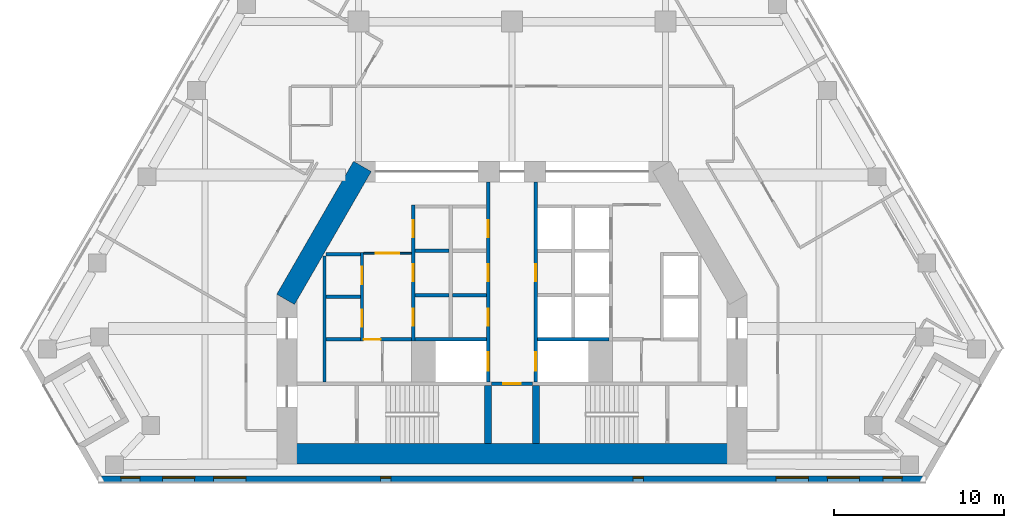
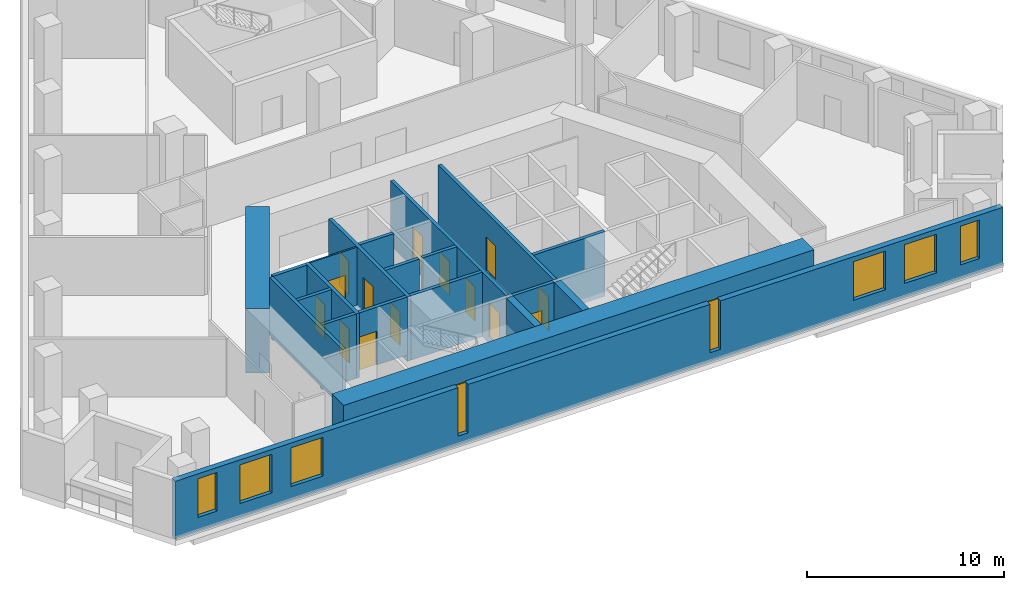
# One storey, part 3 of 8: 21 walls, 14 doors, 8 windows, 22 openings.
"""IFC4 building model written with IfcOpenShell, lengths in metres."""

from ifc_helpers import new_model, si_unit, direction, frame, frame_2d, origin, place, context, subcontext, project, spatial, rectangle, extrude, material, layer, layer_set, type_object, element, fill, save


model = new_model("IFC4")

# Units and contexts
model_context = context("Model", 3, precision=1e-05, world=origin(), true_north=direction((0.0, 1.0)))
body_context = subcontext(model_context, "Body", "Model", "MODEL_VIEW")
ifc_project = project(units=[si_unit("LENGTHUNIT", "METRE"), si_unit("AREAUNIT", "SQUARE_METRE"), si_unit("VOLUMEUNIT", "CUBIC_METRE"), si_unit("PLANEANGLEUNIT", "RADIAN"), si_unit("MASSUNIT", "GRAM", prefix="KILO")], contexts=[model_context])

# Site, building, storey
site_placement = place(None, origin())
site = spatial("IfcSite", under=ifc_project, at=site_placement, CompositionType="ELEMENT")
building_placement = place(site_placement, origin())
building = spatial("IfcBuilding", under=site, at=building_placement, Name="Fogline Exchange Tower", CompositionType="ELEMENT")
storey_placement = place(building_placement, frame((0.0, 0.0, 162.89990234375)))
storey = spatial("IfcBuildingStorey", under=building, at=storey_placement, Name="L36", CompositionType="ELEMENT", Elevation=162.89990234375)

# Wall, opening, door
ifc_material_1 = material(Name="Blockwork partition", Category="masonry")
ifc_layer_1 = layer(ifc_material_1, 0.10009765625)
ifc_layer_set_1 = layer_set([ifc_layer_1], Name="CW10")
wall_type_1 = type_object("IfcWallType", Name="CW10", PredefinedType="PARTITIONING", material=ifc_layer_set_1)
wall_1_placement = place(storey_placement, frame((-8.699951171875, 13.39990234375, 0.0), z_axis=(0.0, 0.0, 1.0), x_axis=(1.0, 0.0, 0.0)))
wall_1 = element("IfcWall", 1, at=wall_1_placement, inside=storey, type_object=wall_type_1, Name="Lift lobby partition", PredefinedType="PARTITIONING", context=body_context, shape_type="SweptSolid", body=[
    extrude(rectangle(XDim=2.800048828125, YDim=0.10009765625, at=frame_2d((1.39990234375, 0.0))), origin(), (0.0, 0.0, 1.0), 3.60009765625),
])
opening_1_placement = place(wall_1_placement, frame((0.699951171875, 0.0, 0.0)))
opening_1 = element("IfcOpeningElement", 2, at=opening_1_placement, cuts=wall_1, Name="Opening T11-C011", PredefinedType="OPENING", context=body_context, shape_type="SweptSolid", body=[
    extrude(rectangle(XDim=1.39990234375, YDim=2.10009765625, at=frame_2d((0.699951171875, 1.050048828125))), frame((0.0, 0.06005859375, 0.0), z_axis=(0.0, -1.0, 0.0), x_axis=(1.0, 0.0, 0.0)), (0.0, 0.0, 1.0), 0.1201171875),
])
ifc_material_2 = material(Name="Steel and timber fire door", Category="steel")
door_type_1 = type_object("IfcDoorType", Name="D-LB1", OperationType="DOUBLE_DOOR_SINGLE_SWING", PredefinedType="DOOR", material=ifc_material_2)
door_1_placement = place(opening_1_placement, frame((1.39990234375, 0.0, 0.0), z_axis=(0.0, 0.0, 1.0), x_axis=(-1.0, 0.0, 0.0)))
door_1 = element("IfcDoor", 3, at=door_1_placement, inside=storey, type_object=door_type_1, Name="Door to lift lobby", OperationType="DOUBLE_DOOR_SINGLE_SWING", OverallHeight=2.10009765625, OverallWidth=1.39990234375, PredefinedType="DOOR", context=body_context, shape_type="SweptSolid", body=[
    extrude(rectangle(XDim=1.39990234375, YDim=2.10009765625, at=frame_2d((0.699951171875, 1.050048828125))), frame((0.0, 0.02490234375, 0.0), z_axis=(0.0, -1.0, 0.0), x_axis=(1.0, 0.0, 0.0)), (0.0, 0.0, 1.0), 0.050048828125),
])
fill(opening_1, door_1)

# Walls
ifc_material_3 = material(Name="Concrete C40", Category="concrete")
ifc_layer_2 = layer(ifc_material_3, 0.199951171875)
ifc_layer_set_2 = layer_set([ifc_layer_2], Name="CW20")
wall_type_2 = type_object("IfcWallType", Name="CW20", PredefinedType="SOLIDWALL", material=ifc_layer_set_2)
wall_2_placement = place(storey_placement, frame((-11.0, 5.85009765625, 0.0), z_axis=(0.0, 0.0, 1.0), x_axis=(0.0, 1.0, 0.0)))
element("IfcWall", 4, at=wall_2_placement, inside=storey, type_object=wall_type_2, Name="Service room wall", PredefinedType="SOLIDWALL", context=body_context, shape_type="SweptSolid", body=[
    extrude(rectangle(XDim=7.39990234375, YDim=0.199951171875, at=frame_2d((3.699951171875, 0.0))), origin(), (0.0, 0.0, 1.0), 3.60009765625),
])
for number, where, z_axis, x_axis, name in (
    (5, (-10.89990234375, 10.85009765625, 0.0), (0.0, 0.0, 1.0), (1.0, 0.0, 0.0), "Service room wall"),
    (6, (-5.699951171875, 10.949951171875, 0.0), (0.0, 0.0, 1.0), (1.0, 0.0, 0.0), "Service room wall"),
    (7, (-5.699951171875, 13.550048828125, 0.0), (0.0, 0.0, 1.0), (1.0, 0.0, 0.0), "Service room wall"),
    (8, (-3.5, 10.949951171875, 0.0), (0.0, 0.0, 1.0), (1.0, 0.0, 0.0), "Service room wall"),
):
    element("IfcWall", number, at=place(storey_placement, frame(where, z_axis=z_axis, x_axis=x_axis)), inside=storey, type_object=wall_type_2, Name=name, PredefinedType="SOLIDWALL", context=body_context, shape_type="SweptSolid", body=[
        extrude(rectangle(XDim=2.0, YDim=0.199951171875, at=frame_2d((1.0, 0.0))), origin(), (0.0, 0.0, 1.0), 3.60009765625),
    ])

# Wall, opening, door
wall_3_placement = place(storey_placement, frame((-8.699951171875, 8.35009765625, 0.0), z_axis=(0.0, 0.0, 1.0), x_axis=(1.0, 0.0, 0.0)))
wall_3 = element("IfcWall", 9, at=wall_3_placement, inside=storey, type_object=wall_type_2, Name="WC wall", PredefinedType="SOLIDWALL", context=body_context, shape_type="SweptSolid", body=[
    extrude(rectangle(XDim=2.800048828125, YDim=0.199951171875, at=frame_2d((1.39990234375, 0.0))), origin(), (0.0, 0.0, 1.0), 3.60009765625),
])
opening_2_placement = place(wall_3_placement, origin())
opening_2 = element("IfcOpeningElement", 10, at=opening_2_placement, cuts=wall_3, Name="Opening T11-C012", PredefinedType="OPENING", context=body_context, shape_type="SweptSolid", body=[
    extrude(rectangle(XDim=1.0, YDim=2.10009765625, at=frame_2d((0.5, 1.050048828125))), frame((0.0, 0.10986328125, 0.0), z_axis=(0.0, -1.0, 0.0), x_axis=(1.0, 0.0, 0.0)), (0.0, 0.0, 1.0), 0.219970703125),
])
door_type_2 = type_object("IfcDoorType", Name="D-WC1", OperationType="SINGLE_SWING_LEFT", PredefinedType="DOOR", material=ifc_material_2)
door_2_placement = place(opening_2_placement, frame((1.0, 0.0, 0.0), z_axis=(0.0, 0.0, 1.0), x_axis=(-1.0, 0.0, 0.0)))
door_2 = element("IfcDoor", 11, at=door_2_placement, inside=storey, type_object=door_type_2, Name="Door to Men's WC", OperationType="SINGLE_SWING_LEFT", OverallHeight=2.10009765625, OverallWidth=1.0, PredefinedType="DOOR", context=body_context, shape_type="SweptSolid", body=[
    extrude(rectangle(XDim=1.0, YDim=2.10009765625, at=frame_2d((0.5, 1.050048828125))), frame((0.0, 0.02490234375, 0.0), z_axis=(0.0, -1.0, 0.0), x_axis=(1.0, 0.0, 0.0)), (0.0, 0.0, 1.0), 0.050048828125),
])
fill(opening_2, door_2)

ifc_layer_3 = layer(ifc_material_3, 0.199951171875)
ifc_layer_set_3 = layer_set([ifc_layer_3], Name="CW20R")
wall_type_3 = type_object("IfcWallType", Name="CW20R", PredefinedType="SOLIDWALL", material=ifc_layer_set_3)
wall_4_placement = place(storey_placement, frame((-1.199951171875, 5.75, -0.39990234375), z_axis=(0.0, 0.0, 1.0), x_axis=(1.0, 0.0, 0.0)))
wall_4 = element("IfcWall", 12, at=wall_4_placement, inside=storey, type_object=wall_type_3, Name="Stair enclosure wall", PredefinedType="SOLIDWALL", context=body_context, shape_type="SweptSolid", body=[
    extrude(rectangle(XDim=2.39990234375, YDim=0.199951171875, at=frame_2d((1.199951171875, 0.0))), origin(), (0.0, 0.0, 1.0), 4.0),
])
opening_3_placement = place(wall_4_placement, frame((0.699951171875, 0.0, 0.39990234375)))
opening_3 = element("IfcOpeningElement", 13, at=opening_3_placement, cuts=wall_4, Name="Opening T11-C010", PredefinedType="OPENING", context=body_context, shape_type="SweptSolid", body=[
    extrude(rectangle(XDim=1.0, YDim=2.10009765625, at=frame_2d((0.5, 1.050048828125))), frame((0.0, 0.10986328125, 0.0), z_axis=(0.0, -1.0, 0.0), x_axis=(1.0, 0.0, 0.0)), (0.0, 0.0, 1.0), 0.219970703125),
])
door_type_3 = type_object("IfcDoorType", Name="D-RM1", OperationType="SINGLE_SWING_LEFT", PredefinedType="DOOR", material=ifc_material_2)
door_3_placement = place(opening_3_placement, frame((1.0, 0.0, 0.0), z_axis=(0.0, 0.0, 1.0), x_axis=(-1.0, 0.0, 0.0)))
door_3 = element("IfcDoor", 14, at=door_3_placement, inside=storey, type_object=door_type_3, Name="Door to Library Store", OperationType="SINGLE_SWING_RIGHT", OverallHeight=2.10009765625, OverallWidth=1.0, PredefinedType="DOOR", context=body_context, shape_type="SweptSolid", body=[
    extrude(rectangle(XDim=1.0, YDim=2.10009765625, at=frame_2d((0.5, 1.050048828125))), frame((0.0, 0.02490234375, 0.0), z_axis=(0.0, -1.0, 0.0), x_axis=(1.0, 0.0, 0.0)), (0.0, 0.0, 1.0), 0.050048828125),
])
fill(opening_3, door_3)

# Wall, openings, doors
ifc_layer_4 = layer(ifc_material_3, 0.199951171875)
ifc_layer_set_4 = layer_set([ifc_layer_4], Name="CW20S")
wall_type_4 = type_object("IfcWallType", Name="CW20S", PredefinedType="SOLIDWALL", material=ifc_layer_set_4)
wall_5_placement = place(storey_placement, frame((-8.800048828125, 8.25, -0.39990234375), z_axis=(0.0, 0.0, 1.0), x_axis=(0.0, 1.0, 0.0)))
wall_5 = element("IfcWall", 15, at=wall_5_placement, inside=storey, type_object=wall_type_4, Name="Lift shaft wall", PredefinedType="SOLIDWALL", context=body_context, shape_type="SweptSolid", body=[
    extrude(rectangle(XDim=5.199951171875, YDim=0.199951171875, at=frame_2d((2.60009765625, 0.0))), origin(), (0.0, 0.0, 1.0), 4.0),
])
opening_4_placement = place(wall_5_placement, frame((0.85009765625, 0.0, 0.39990234375)))
opening_4 = element("IfcOpeningElement", 16, at=opening_4_placement, cuts=wall_5, Name="Opening T11-C001", PredefinedType="OPENING", context=body_context, shape_type="SweptSolid", body=[
    extrude(rectangle(XDim=1.0, YDim=2.10009765625, at=frame_2d((0.5, 1.050048828125))), frame((0.0, 0.10986328125, 0.0), z_axis=(0.0, -1.0, 0.0), x_axis=(1.0, 0.0, 0.0)), (0.0, 0.0, 1.0), 0.219970703125),
])
opening_5_placement = place(wall_5_placement, frame((3.35009765625, 0.0, 0.39990234375)))
opening_5 = element("IfcOpeningElement", 17, at=opening_5_placement, cuts=wall_5, Name="Opening T11-C002", PredefinedType="OPENING", context=body_context, shape_type="SweptSolid", body=[
    extrude(rectangle(XDim=1.0, YDim=2.10009765625, at=frame_2d((0.5, 1.050048828125))), frame((0.0, 0.10986328125, 0.0), z_axis=(0.0, -1.0, 0.0), x_axis=(1.0, 0.0, 0.0)), (0.0, 0.0, 1.0), 0.219970703125),
])
door_4_placement = place(opening_4_placement, origin())
door_4 = element("IfcDoor", 18, at=door_4_placement, inside=storey, type_object=door_type_3, Name="Door to Riser Room", OperationType="SINGLE_SWING_RIGHT", OverallHeight=2.10009765625, OverallWidth=1.0, PredefinedType="DOOR", context=body_context, shape_type="SweptSolid", body=[
    extrude(rectangle(XDim=1.0, YDim=2.10009765625, at=frame_2d((0.5, 1.050048828125))), frame((0.0, 0.02490234375, 0.0), z_axis=(0.0, -1.0, 0.0), x_axis=(1.0, 0.0, 0.0)), (0.0, 0.0, 1.0), 0.050048828125),
])
fill(opening_4, door_4)
door_5_placement = place(opening_5_placement, origin())
door_5 = element("IfcDoor", 19, at=door_5_placement, inside=storey, type_object=door_type_3, Name="Door to Plant Room", OperationType="SINGLE_SWING_RIGHT", OverallHeight=2.10009765625, OverallWidth=1.0, PredefinedType="DOOR", context=body_context, shape_type="SweptSolid", body=[
    extrude(rectangle(XDim=1.0, YDim=2.10009765625, at=frame_2d((0.5, 1.050048828125))), frame((0.0, 0.02490234375, 0.0), z_axis=(0.0, -1.0, 0.0), x_axis=(1.0, 0.0, 0.0)), (0.0, 0.0, 1.0), 0.050048828125),
])
fill(opening_5, door_5)

wall_6_placement = place(storey_placement, frame((-5.800048828125, 8.25, -0.39990234375), z_axis=(0.0, 0.0, 1.0), x_axis=(0.0, 1.0, 0.0)))
wall_6 = element("IfcWall", 20, at=wall_6_placement, inside=storey, type_object=wall_type_4, Name="Lift shaft wall", PredefinedType="SOLIDWALL", context=body_context, shape_type="SweptSolid", body=[
    extrude(rectangle(XDim=8.0, YDim=0.199951171875, at=frame_2d((4.0, 0.0))), origin(), (0.0, 0.0, 1.0), 4.0),
])
opening_6_placement = place(wall_6_placement, frame((0.89990234375, 0.0, 0.39990234375)))
opening_6 = element("IfcOpeningElement", 21, at=opening_6_placement, cuts=wall_6, Name="Opening T11-C003", PredefinedType="OPENING", context=body_context, shape_type="SweptSolid", body=[
    extrude(rectangle(XDim=1.0, YDim=2.10009765625, at=frame_2d((0.5, 1.050048828125))), frame((0.0, 0.10986328125, 0.0), z_axis=(0.0, -1.0, 0.0), x_axis=(1.0, 0.0, 0.0)), (0.0, 0.0, 1.0), 0.219970703125),
])
opening_7_placement = place(wall_6_placement, frame((3.5, 0.0, 0.39990234375)))
opening_7 = element("IfcOpeningElement", 22, at=opening_7_placement, cuts=wall_6, Name="Opening T11-C004", PredefinedType="OPENING", context=body_context, shape_type="SweptSolid", body=[
    extrude(rectangle(XDim=1.0, YDim=2.10009765625, at=frame_2d((0.5, 1.050048828125))), frame((0.0, 0.10986328125, 0.0), z_axis=(0.0, -1.0, 0.0), x_axis=(1.0, 0.0, 0.0)), (0.0, 0.0, 1.0), 0.219970703125),
])
opening_8_placement = place(wall_6_placement, frame((6.10009765625, 0.0, 0.39990234375)))
opening_8 = element("IfcOpeningElement", 23, at=opening_8_placement, cuts=wall_6, Name="Opening T11-C005", PredefinedType="OPENING", context=body_context, shape_type="SweptSolid", body=[
    extrude(rectangle(XDim=1.0, YDim=2.10009765625, at=frame_2d((0.5, 1.050048828125))), frame((0.0, 0.10986328125, 0.0), z_axis=(0.0, -1.0, 0.0), x_axis=(1.0, 0.0, 0.0)), (0.0, 0.0, 1.0), 0.219970703125),
])
door_6_placement = place(opening_6_placement, frame((1.0, 0.0, 0.0), z_axis=(0.0, 0.0, 1.0), x_axis=(-1.0, 0.0, 0.0)))
door_6 = element("IfcDoor", 24, at=door_6_placement, inside=storey, type_object=door_type_3, Name="Door to Cable Store", OperationType="SINGLE_SWING_LEFT", OverallHeight=2.10009765625, OverallWidth=1.0, PredefinedType="DOOR", context=body_context, shape_type="SweptSolid", body=[
    extrude(rectangle(XDim=1.0, YDim=2.10009765625, at=frame_2d((0.5, 1.050048828125))), frame((0.0, 0.02490234375, 0.0), z_axis=(0.0, -1.0, 0.0), x_axis=(1.0, 0.0, 0.0)), (0.0, 0.0, 1.0), 0.050048828125),
])
fill(opening_6, door_6)
door_7_placement = place(opening_7_placement, frame((1.0, 0.0, 0.0), z_axis=(0.0, 0.0, 1.0), x_axis=(-1.0, 0.0, 0.0)))
door_7 = element("IfcDoor", 25, at=door_7_placement, inside=storey, type_object=door_type_3, Name="Door to Server Room", OperationType="SINGLE_SWING_RIGHT", OverallHeight=2.10009765625, OverallWidth=1.0, PredefinedType="DOOR", context=body_context, shape_type="SweptSolid", body=[
    extrude(rectangle(XDim=1.0, YDim=2.10009765625, at=frame_2d((0.5, 1.050048828125))), frame((0.0, 0.02490234375, 0.0), z_axis=(0.0, -1.0, 0.0), x_axis=(1.0, 0.0, 0.0)), (0.0, 0.0, 1.0), 0.050048828125),
])
fill(opening_7, door_7)
door_8_placement = place(opening_8_placement, frame((1.0, 0.0, 0.0), z_axis=(0.0, 0.0, 1.0), x_axis=(-1.0, 0.0, 0.0)))
door_8 = element("IfcDoor", 26, at=door_8_placement, inside=storey, type_object=door_type_3, Name="Door to Archive Store", OperationType="SINGLE_SWING_RIGHT", OverallHeight=2.10009765625, OverallWidth=1.0, PredefinedType="DOOR", context=body_context, shape_type="SweptSolid", body=[
    extrude(rectangle(XDim=1.0, YDim=2.10009765625, at=frame_2d((0.5, 1.050048828125))), frame((0.0, 0.02490234375, 0.0), z_axis=(0.0, -1.0, 0.0), x_axis=(1.0, 0.0, 0.0)), (0.0, 0.0, 1.0), 0.050048828125),
])
fill(opening_8, door_8)

wall_7_placement = place(storey_placement, frame((-1.39990234375, 5.85009765625, -0.39990234375), z_axis=(0.0, 0.0, 1.0), x_axis=(0.0, 1.0, 0.0)))
wall_7 = element("IfcWall", 27, at=wall_7_placement, inside=storey, type_object=wall_type_4, Name="Lift lobby wall", PredefinedType="SOLIDWALL", context=body_context, shape_type="SweptSolid", body=[
    extrude(rectangle(XDim=11.75, YDim=0.199951171875, at=frame_2d((5.875, 0.0))), origin(), (0.0, 0.0, 1.0), 4.0),
])
opening_9_placement = place(wall_7_placement, frame((0.64990234375, 0.0, 0.39990234375)))
opening_9 = element("IfcOpeningElement", 28, at=opening_9_placement, cuts=wall_7, Name="Opening T11-LD01", PredefinedType="OPENING", context=body_context, shape_type="SweptSolid", body=[
    extrude(rectangle(XDim=1.10009765625, YDim=2.10009765625, at=frame_2d((0.550048828125, 1.050048828125))), frame((0.0, 0.10986328125, 0.0), z_axis=(0.0, -1.0, 0.0), x_axis=(1.0, 0.0, 0.0)), (0.0, 0.0, 1.0), 0.219970703125),
])
opening_10_placement = place(wall_7_placement, frame((3.300048828125, 0.0, 0.39990234375)))
opening_10 = element("IfcOpeningElement", 29, at=opening_10_placement, cuts=wall_7, Name="Opening T11-C006", PredefinedType="OPENING", context=body_context, shape_type="SweptSolid", body=[
    extrude(rectangle(XDim=1.0, YDim=2.10009765625, at=frame_2d((0.5, 1.050048828125))), frame((0.0, 0.10986328125, 0.0), z_axis=(0.0, -1.0, 0.0), x_axis=(1.0, 0.0, 0.0)), (0.0, 0.0, 1.0), 0.219970703125),
])
opening_11_placement = place(wall_7_placement, frame((5.89990234375, 0.0, 0.39990234375)))
opening_11 = element("IfcOpeningElement", 30, at=opening_11_placement, cuts=wall_7, Name="Opening T11-C007", PredefinedType="OPENING", context=body_context, shape_type="SweptSolid", body=[
    extrude(rectangle(XDim=1.0, YDim=2.10009765625, at=frame_2d((0.5, 1.050048828125))), frame((0.0, 0.10986328125, 0.0), z_axis=(0.0, -1.0, 0.0), x_axis=(1.0, 0.0, 0.0)), (0.0, 0.0, 1.0), 0.219970703125),
])
opening_12_placement = place(wall_7_placement, frame((8.5, 0.0, 0.39990234375)))
opening_12 = element("IfcOpeningElement", 31, at=opening_12_placement, cuts=wall_7, Name="Opening T11-C008", PredefinedType="OPENING", context=body_context, shape_type="SweptSolid", body=[
    extrude(rectangle(XDim=1.0, YDim=2.10009765625, at=frame_2d((0.5, 1.050048828125))), frame((0.0, 0.10986328125, 0.0), z_axis=(0.0, -1.0, 0.0), x_axis=(1.0, 0.0, 0.0)), (0.0, 0.0, 1.0), 0.219970703125),
])
door_9_placement = place(opening_10_placement, origin())
door_9 = element("IfcDoor", 32, at=door_9_placement, inside=storey, type_object=door_type_3, Name="Door to Library Store", OperationType="SINGLE_SWING_LEFT", OverallHeight=2.10009765625, OverallWidth=1.0, PredefinedType="DOOR", context=body_context, shape_type="SweptSolid", body=[
    extrude(rectangle(XDim=1.0, YDim=2.10009765625, at=frame_2d((0.5, 1.050048828125))), frame((0.0, 0.02490234375, 0.0), z_axis=(0.0, -1.0, 0.0), x_axis=(1.0, 0.0, 0.0)), (0.0, 0.0, 1.0), 0.050048828125),
])
fill(opening_10, door_9)
door_10_placement = place(opening_11_placement, origin())
door_10 = element("IfcDoor", 33, at=door_10_placement, inside=storey, type_object=door_type_3, Name="Door to Stationery Store", OperationType="SINGLE_SWING_LEFT", OverallHeight=2.10009765625, OverallWidth=1.0, PredefinedType="DOOR", context=body_context, shape_type="SweptSolid", body=[
    extrude(rectangle(XDim=1.0, YDim=2.10009765625, at=frame_2d((0.5, 1.050048828125))), frame((0.0, 0.02490234375, 0.0), z_axis=(0.0, -1.0, 0.0), x_axis=(1.0, 0.0, 0.0)), (0.0, 0.0, 1.0), 0.050048828125),
])
fill(opening_11, door_10)
door_11_placement = place(opening_12_placement, origin())
door_11 = element("IfcDoor", 34, at=door_11_placement, inside=storey, type_object=door_type_3, Name="Door to Records Store", OperationType="SINGLE_SWING_LEFT", OverallHeight=2.10009765625, OverallWidth=1.0, PredefinedType="DOOR", context=body_context, shape_type="SweptSolid", body=[
    extrude(rectangle(XDim=1.0, YDim=2.10009765625, at=frame_2d((0.5, 1.050048828125))), frame((0.0, 0.02490234375, 0.0), z_axis=(0.0, -1.0, 0.0), x_axis=(1.0, 0.0, 0.0)), (0.0, 0.0, 1.0), 0.050048828125),
])
fill(opening_12, door_11)
door_type_4 = type_object("IfcDoorType", Name="LD2", OperationType="SLIDING_TO_RIGHT", PredefinedType="DOOR", material=ifc_material_2)
door_12_placement = place(opening_9_placement, origin())
door_12 = element("IfcDoor", 35, at=door_12_placement, inside=storey, type_object=door_type_4, Name="Landing door FF1", OperationType="SLIDING_TO_RIGHT", OverallHeight=2.10009765625, OverallWidth=1.10009765625, PredefinedType="DOOR", context=body_context, shape_type="SweptSolid", body=[
    extrude(rectangle(XDim=1.10009765625, YDim=2.10009765625, at=frame_2d((0.550048828125, 1.050048828125))), frame((0.0, 0.02490234375, 0.0), z_axis=(0.0, -1.0, 0.0), x_axis=(1.0, 0.0, 0.0)), (0.0, 0.0, 1.0), 0.050048828125),
])
fill(opening_9, door_12)

wall_8_placement = place(storey_placement, frame((1.39990234375, 5.85009765625, -0.39990234375), z_axis=(0.0, 0.0, 1.0), x_axis=(0.0, 1.0, 0.0)))
wall_8 = element("IfcWall", 36, at=wall_8_placement, inside=storey, type_object=wall_type_4, Name="Lift lobby wall", PredefinedType="SOLIDWALL", context=body_context, shape_type="SweptSolid", body=[
    extrude(rectangle(XDim=11.75, YDim=0.199951171875, at=frame_2d((5.875, 0.0))), origin(), (0.0, 0.0, 1.0), 4.0),
])
opening_13_placement = place(wall_8_placement, frame((0.64990234375, 0.0, 0.39990234375)))
opening_13 = element("IfcOpeningElement", 37, at=opening_13_placement, cuts=wall_8, Name="Opening T11-LD05", PredefinedType="OPENING", context=body_context, shape_type="SweptSolid", body=[
    extrude(rectangle(XDim=1.10009765625, YDim=2.10009765625, at=frame_2d((0.550048828125, 1.050048828125))), frame((0.0, 0.10986328125, 0.0), z_axis=(0.0, -1.0, 0.0), x_axis=(1.0, 0.0, 0.0)), (0.0, 0.0, 1.0), 0.219970703125),
])
opening_14_placement = place(wall_8_placement, frame((5.89990234375, 0.0, 0.39990234375)))
opening_14 = element("IfcOpeningElement", 38, at=opening_14_placement, cuts=wall_8, Name="Opening T11-C009", PredefinedType="OPENING", context=body_context, shape_type="SweptSolid", body=[
    extrude(rectangle(XDim=1.0, YDim=2.10009765625, at=frame_2d((0.5, 1.050048828125))), frame((0.0, 0.10986328125, 0.0), z_axis=(0.0, -1.0, 0.0), x_axis=(1.0, 0.0, 0.0)), (0.0, 0.0, 1.0), 0.219970703125),
])
door_13_placement = place(opening_14_placement, frame((1.0, 0.0, 0.0), z_axis=(0.0, 0.0, 1.0), x_axis=(-1.0, 0.0, 0.0)))
door_13 = element("IfcDoor", 39, at=door_13_placement, inside=storey, type_object=door_type_3, Name="Door to Server Room", OperationType="SINGLE_SWING_RIGHT", OverallHeight=2.10009765625, OverallWidth=1.0, PredefinedType="DOOR", context=body_context, shape_type="SweptSolid", body=[
    extrude(rectangle(XDim=1.0, YDim=2.10009765625, at=frame_2d((0.5, 1.050048828125))), frame((0.0, 0.02490234375, 0.0), z_axis=(0.0, -1.0, 0.0), x_axis=(1.0, 0.0, 0.0)), (0.0, 0.0, 1.0), 0.050048828125),
])
fill(opening_14, door_13)
door_14_placement = place(opening_13_placement, origin())
door_14 = element("IfcDoor", 40, at=door_14_placement, inside=storey, type_object=door_type_4, Name="Landing door FF2", OperationType="SLIDING_TO_RIGHT", OverallHeight=2.10009765625, OverallWidth=1.10009765625, PredefinedType="DOOR", context=body_context, shape_type="SweptSolid", body=[
    extrude(rectangle(XDim=1.10009765625, YDim=2.10009765625, at=frame_2d((0.550048828125, 1.050048828125))), frame((0.0, 0.02490234375, 0.0), z_axis=(0.0, -1.0, 0.0), x_axis=(1.0, 0.0, 0.0)), (0.0, 0.0, 1.0), 0.050048828125),
])
fill(opening_13, door_14)

# Walls
wall_9_placement = place(storey_placement, frame((-10.89990234375, 8.35009765625, -0.39990234375), z_axis=(0.0, 0.0, 1.0), x_axis=(1.0, 0.0, 0.0)))
element("IfcWall", 41, at=wall_9_placement, inside=storey, type_object=wall_type_4, Name="Lift shaft wall", PredefinedType="SOLIDWALL", context=body_context, shape_type="SweptSolid", body=[
    extrude(rectangle(XDim=2.0, YDim=0.199951171875, at=frame_2d((1.0, 0.0))), origin(), (0.0, 0.0, 1.0), 4.0),
])
for number, where, z_axis, x_axis, name in (
    (42, (-5.699951171875, 8.35009765625, -0.39990234375), (0.0, 0.0, 1.0), (1.0, 0.0, 0.0), "Lift shaft wall"),
    (43, (1.5, 8.35009765625, -0.39990234375), (0.0, 0.0, 1.0), (1.0, 0.0, 0.0), "Lift shaft wall"),
):
    element("IfcWall", number, at=place(storey_placement, frame(where, z_axis=z_axis, x_axis=x_axis)), inside=storey, type_object=wall_type_4, Name=name, PredefinedType="SOLIDWALL", context=body_context, shape_type="SweptSolid", body=[
        extrude(rectangle(XDim=4.199951171875, YDim=0.199951171875, at=frame_2d((2.10009765625, 0.0))), origin(), (0.0, 0.0, 1.0), 4.0),
    ])
wall_10_placement = place(storey_placement, frame((-10.89990234375, 13.35009765625, -0.39990234375), z_axis=(0.0, 0.0, 1.0), x_axis=(1.0, 0.0, 0.0)))
element("IfcWall", 44, at=wall_10_placement, inside=storey, type_object=wall_type_4, Name="Lift shaft wall", PredefinedType="SOLIDWALL", context=body_context, shape_type="SweptSolid", body=[
    extrude(rectangle(XDim=2.0, YDim=0.199951171875, at=frame_2d((1.0, 0.0))), origin(), (0.0, 0.0, 1.0), 4.0),
])
ifc_layer_5 = layer(ifc_material_3, 0.39990234375)
ifc_layer_set_5 = layer_set([ifc_layer_5], Name="CW40R")
wall_type_5 = type_object("IfcWallType", Name="CW40R", PredefinedType="SOLIDWALL", material=ifc_layer_set_5)
for number, where, z_axis, x_axis, name in (
    (45, (-1.39990234375, 2.25, -0.39990234375), (0.0, 0.0, 1.0), (0.0, 1.0, 0.0), "Stair and lift shaft wall"),
    (46, (1.39990234375, 2.25, -0.39990234375), (0.0, 0.0, 1.0), (0.0, 1.0, 0.0), "Stair and lift shaft wall"),
):
    element("IfcWall", number, at=place(storey_placement, frame(where, z_axis=z_axis, x_axis=x_axis)), inside=storey, type_object=wall_type_5, Name=name, PredefinedType="SOLIDWALL", context=body_context, shape_type="SweptSolid", body=[
        extrude(rectangle(XDim=3.39990234375, YDim=0.39990234375, at=frame_2d((1.699951171875, 0.0))), origin(), (0.0, 0.0, 1.0), 4.0),
    ])

# Wall, openings, windows
ifc_material_4 = material(Name="Brick masonry", Category="masonry")
ifc_layer_6 = layer(ifc_material_4, 0.340087890625)
ifc_layer_set_6 = layer_set([ifc_layer_6], Name="FW1")
wall_type_6 = type_object("IfcWallType", Name="FW1", PredefinedType="SOLIDWALL", material=ifc_layer_set_6)
wall_11_placement = place(storey_placement, frame((-24.276123046875, 0.169921875, 0.0), z_axis=(0.0, 0.0, 1.0), x_axis=(1.0, 0.0, 0.0)))
wall_11 = element("IfcWall", 47, at=wall_11_placement, inside=storey, type_object=wall_type_6, Name="Brick wall L36 S", PredefinedType="SOLIDWALL", context=body_context, shape_type="SweptSolid", body=[
    extrude(rectangle(XDim=48.55224609375, YDim=0.340087890625, at=frame_2d((24.276123046875, 0.0))), origin(), (0.0, 0.0, 1.0), 3.60009765625),
])
opening_15_placement = place(wall_11_placement, frame((3.776123046875, 0.0, 0.89990234375)))
opening_15 = element("IfcOpeningElement", 48, at=opening_15_placement, cuts=wall_11, Name="Opening W1", PredefinedType="OPENING", context=body_context, shape_type="SweptSolid", body=[
    extrude(rectangle(XDim=1.885009765625, YDim=2.39990234375, at=frame_2d((0.9423828125, 1.199951171875))), frame((0.0, 0.18017578125, 0.0), z_axis=(0.0, -1.0, 0.0), x_axis=(1.0, 0.0, 0.0)), (0.0, 0.0, 1.0), 0.360107421875),
])
opening_16_placement = place(wall_11_placement, frame((6.776123046875, 0.0, 0.89990234375)))
opening_16 = element("IfcOpeningElement", 49, at=opening_16_placement, cuts=wall_11, Name="Opening W1", PredefinedType="OPENING", context=body_context, shape_type="SweptSolid", body=[
    extrude(rectangle(XDim=1.885009765625, YDim=2.39990234375, at=frame_2d((0.9423828125, 1.199951171875))), frame((0.0, 0.18017578125, 0.0), z_axis=(0.0, -1.0, 0.0), x_axis=(1.0, 0.0, 0.0)), (0.0, 0.0, 1.0), 0.360107421875),
])
opening_17_placement = place(wall_11_placement, frame((39.776123046875, 0.0, 0.89990234375)))
opening_17 = element("IfcOpeningElement", 50, at=opening_17_placement, cuts=wall_11, Name="Opening W1", PredefinedType="OPENING", context=body_context, shape_type="SweptSolid", body=[
    extrude(rectangle(XDim=1.885009765625, YDim=2.39990234375, at=frame_2d((0.9423828125, 1.199951171875))), frame((0.0, 0.18017578125, 0.0), z_axis=(0.0, -1.0, 0.0), x_axis=(1.0, 0.0, 0.0)), (0.0, 0.0, 1.0), 0.360107421875),
])
opening_18_placement = place(wall_11_placement, frame((42.776123046875, 0.0, 0.89990234375)))
opening_18 = element("IfcOpeningElement", 51, at=opening_18_placement, cuts=wall_11, Name="Opening W1", PredefinedType="OPENING", context=body_context, shape_type="SweptSolid", body=[
    extrude(rectangle(XDim=1.885009765625, YDim=2.39990234375, at=frame_2d((0.9423828125, 1.199951171875))), frame((0.0, 0.18017578125, 0.0), z_axis=(0.0, -1.0, 0.0), x_axis=(1.0, 0.0, 0.0)), (0.0, 0.0, 1.0), 0.360107421875),
])
opening_19_placement = place(wall_11_placement, frame((1.33056640625, 0.0, 0.89990234375)))
opening_19 = element("IfcOpeningElement", 52, at=opening_19_placement, cuts=wall_11, Name="Opening W4", PredefinedType="OPENING", context=body_context, shape_type="SweptSolid", body=[
    extrude(rectangle(XDim=1.114990234375, YDim=2.39990234375, at=frame_2d((0.5576171875, 1.199951171875))), frame((0.0, 0.18017578125, 0.0), z_axis=(0.0, -1.0, 0.0), x_axis=(1.0, 0.0, 0.0)), (0.0, 0.0, 1.0), 0.360107421875),
])
opening_20_placement = place(wall_11_placement, frame((46.049072265625, 0.0, 0.89990234375)))
opening_20 = element("IfcOpeningElement", 53, at=opening_20_placement, cuts=wall_11, Name="Opening W4", PredefinedType="OPENING", context=body_context, shape_type="SweptSolid", body=[
    extrude(rectangle(XDim=1.114990234375, YDim=2.39990234375, at=frame_2d((0.5576171875, 1.199951171875))), frame((0.0, 0.18017578125, 0.0), z_axis=(0.0, -1.0, 0.0), x_axis=(1.0, 0.0, 0.0)), (0.0, 0.0, 1.0), 0.360107421875),
])
opening_21_placement = place(wall_11_placement, frame((16.576171875, 0.0, 0.60009765625)))
opening_21 = element("IfcOpeningElement", 54, at=opening_21_placement, cuts=wall_11, Name="Opening W5", PredefinedType="OPENING", context=body_context, shape_type="SweptSolid", body=[
    extrude(rectangle(XDim=0.60009765625, YDim=3.0, at=frame_2d((0.300048828125, 1.5))), frame((0.0, 0.18017578125, 0.0), z_axis=(0.0, -1.0, 0.0), x_axis=(1.0, 0.0, 0.0)), (0.0, 0.0, 1.0), 0.360107421875),
])
opening_22_placement = place(wall_11_placement, frame((31.3759765625, 0.0, 0.60009765625)))
opening_22 = element("IfcOpeningElement", 55, at=opening_22_placement, cuts=wall_11, Name="Opening W5", PredefinedType="OPENING", context=body_context, shape_type="SweptSolid", body=[
    extrude(rectangle(XDim=0.60009765625, YDim=3.0, at=frame_2d((0.300048828125, 1.5))), frame((0.0, 0.18017578125, 0.0), z_axis=(0.0, -1.0, 0.0), x_axis=(1.0, 0.0, 0.0)), (0.0, 0.0, 1.0), 0.360107421875),
])
ifc_material_5 = material(Name="Aluminium and glass", Category="aluminium")
window_type_1 = type_object("IfcWindowType", Name="W1", PartitioningType="SINGLE_PANEL", PredefinedType="WINDOW", material=ifc_material_5)
window_1_placement = place(opening_15_placement, origin())
window_1 = element("IfcWindow", 56, at=window_1_placement, inside=storey, type_object=window_type_1, Name="W1 W1", OverallHeight=2.39990234375, OverallWidth=1.885009765625, PartitioningType="SINGLE_PANEL", PredefinedType="WINDOW", context=body_context, shape_type="SweptSolid", body=[
    extrude(rectangle(XDim=1.885009765625, YDim=2.39990234375, at=frame_2d((0.9423828125, 1.199951171875))), frame((0.0, 0.110107421875, 0.0), z_axis=(0.0, -1.0, 0.0), x_axis=(1.0, 0.0, 0.0)), (0.0, 0.0, 1.0), 0.06005859375),
])
fill(opening_15, window_1)
window_2_placement = place(opening_16_placement, origin())
window_2 = element("IfcWindow", 57, at=window_2_placement, inside=storey, type_object=window_type_1, Name="W1 W1", OverallHeight=2.39990234375, OverallWidth=1.885009765625, PartitioningType="SINGLE_PANEL", PredefinedType="WINDOW", context=body_context, shape_type="SweptSolid", body=[
    extrude(rectangle(XDim=1.885009765625, YDim=2.39990234375, at=frame_2d((0.9423828125, 1.199951171875))), frame((0.0, 0.110107421875, 0.0), z_axis=(0.0, -1.0, 0.0), x_axis=(1.0, 0.0, 0.0)), (0.0, 0.0, 1.0), 0.06005859375),
])
fill(opening_16, window_2)
window_3_placement = place(opening_17_placement, origin())
window_3 = element("IfcWindow", 58, at=window_3_placement, inside=storey, type_object=window_type_1, Name="W1 W1", OverallHeight=2.39990234375, OverallWidth=1.885009765625, PartitioningType="SINGLE_PANEL", PredefinedType="WINDOW", context=body_context, shape_type="SweptSolid", body=[
    extrude(rectangle(XDim=1.885009765625, YDim=2.39990234375, at=frame_2d((0.9423828125, 1.199951171875))), frame((0.0, 0.110107421875, 0.0), z_axis=(0.0, -1.0, 0.0), x_axis=(1.0, 0.0, 0.0)), (0.0, 0.0, 1.0), 0.06005859375),
])
fill(opening_17, window_3)
window_4_placement = place(opening_18_placement, origin())
window_4 = element("IfcWindow", 59, at=window_4_placement, inside=storey, type_object=window_type_1, Name="W1 W1", OverallHeight=2.39990234375, OverallWidth=1.885009765625, PartitioningType="SINGLE_PANEL", PredefinedType="WINDOW", context=body_context, shape_type="SweptSolid", body=[
    extrude(rectangle(XDim=1.885009765625, YDim=2.39990234375, at=frame_2d((0.9423828125, 1.199951171875))), frame((0.0, 0.110107421875, 0.0), z_axis=(0.0, -1.0, 0.0), x_axis=(1.0, 0.0, 0.0)), (0.0, 0.0, 1.0), 0.06005859375),
])
fill(opening_18, window_4)
window_type_2 = type_object("IfcWindowType", Name="W4", PartitioningType="SINGLE_PANEL", PredefinedType="WINDOW", material=ifc_material_5)
window_5_placement = place(opening_19_placement, origin())
window_5 = element("IfcWindow", 60, at=window_5_placement, inside=storey, type_object=window_type_2, Name="W4 W4", OverallHeight=2.39990234375, OverallWidth=1.114990234375, PartitioningType="SINGLE_PANEL", PredefinedType="WINDOW", context=body_context, shape_type="SweptSolid", body=[
    extrude(rectangle(XDim=1.114990234375, YDim=2.39990234375, at=frame_2d((0.5576171875, 1.199951171875))), frame((0.0, 0.110107421875, 0.0), z_axis=(0.0, -1.0, 0.0), x_axis=(1.0, 0.0, 0.0)), (0.0, 0.0, 1.0), 0.06005859375),
])
fill(opening_19, window_5)
window_6_placement = place(opening_20_placement, origin())
window_6 = element("IfcWindow", 61, at=window_6_placement, inside=storey, type_object=window_type_2, Name="W4 W4", OverallHeight=2.39990234375, OverallWidth=1.114990234375, PartitioningType="SINGLE_PANEL", PredefinedType="WINDOW", context=body_context, shape_type="SweptSolid", body=[
    extrude(rectangle(XDim=1.114990234375, YDim=2.39990234375, at=frame_2d((0.5576171875, 1.199951171875))), frame((0.0, 0.110107421875, 0.0), z_axis=(0.0, -1.0, 0.0), x_axis=(1.0, 0.0, 0.0)), (0.0, 0.0, 1.0), 0.06005859375),
])
fill(opening_20, window_6)
window_type_3 = type_object("IfcWindowType", Name="W5", PartitioningType="SINGLE_PANEL", PredefinedType="WINDOW", material=ifc_material_5)
window_7_placement = place(opening_21_placement, origin())
window_7 = element("IfcWindow", 62, at=window_7_placement, inside=storey, type_object=window_type_3, Name="W5 W5", OverallHeight=3.0, OverallWidth=0.60009765625, PartitioningType="SINGLE_PANEL", PredefinedType="WINDOW", context=body_context, shape_type="SweptSolid", body=[
    extrude(rectangle(XDim=0.60009765625, YDim=3.0, at=frame_2d((0.300048828125, 1.5))), frame((0.0, 0.110107421875, 0.0), z_axis=(0.0, -1.0, 0.0), x_axis=(1.0, 0.0, 0.0)), (0.0, 0.0, 1.0), 0.06005859375),
])
fill(opening_21, window_7)
window_8_placement = place(opening_22_placement, origin())
window_8 = element("IfcWindow", 63, at=window_8_placement, inside=storey, type_object=window_type_3, Name="W5 W5", OverallHeight=3.0, OverallWidth=0.60009765625, PartitioningType="SINGLE_PANEL", PredefinedType="WINDOW", context=body_context, shape_type="SweptSolid", body=[
    extrude(rectangle(XDim=0.60009765625, YDim=3.0, at=frame_2d((0.300048828125, 1.5))), frame((0.0, 0.110107421875, 0.0), z_axis=(0.0, -1.0, 0.0), x_axis=(1.0, 0.0, 0.0)), (0.0, 0.0, 1.0), 0.06005859375),
])
fill(opening_22, window_8)

# Walls
ifc_material_6 = material(Name="Concrete C60", Category="concrete")
ifc_layer_7 = layer(ifc_material_6, 1.199951171875)
ifc_layer_set_7 = layer_set([ifc_layer_7], Name="SW02")
wall_type_7 = type_object("IfcWallType", Name="SW02", PredefinedType="SHEAR", material=ifc_layer_set_7)
wall_12_placement = place(storey_placement, frame((-13.800048828125, 1.64990234375, 0.0), z_axis=(0.0, 0.0, 1.0), x_axis=(1.0, 0.0, 0.0)))
element("IfcWall", 64, at=wall_12_placement, inside=storey, type_object=wall_type_7, Name="L36-W901", PredefinedType="SHEAR", context=body_context, shape_type="SweptSolid", body=[
    extrude(rectangle(XDim=27.60009765625, YDim=1.199951171875, at=frame_2d((13.800048828125, 0.0))), origin(), (0.0, 0.0, 1.0), 4.0),
])
wall_13_placement = place(storey_placement, frame((-8.776611328125, 18.5, 0.0), z_axis=(0.0, 0.0, 1.0), x_axis=(-0.499998513025, -0.866026262288, 0.0)))
element("IfcWall", 65, at=wall_13_placement, inside=storey, type_object=wall_type_7, Name="L36-W905", PredefinedType="SHEAR", context=body_context, shape_type="SweptSolid", body=[
    extrude(rectangle(XDim=9.0078125, YDim=1.199951171875, at=frame_2d((4.50390625, 0.0))), origin(), (0.0, 0.0, 1.0), 4.0),
])

save(model, "model.ifc")
